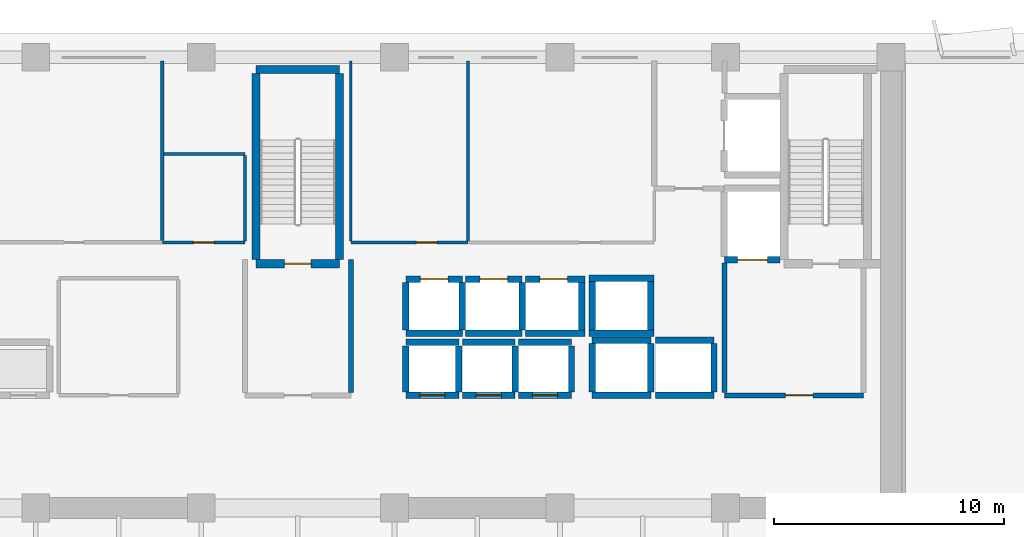
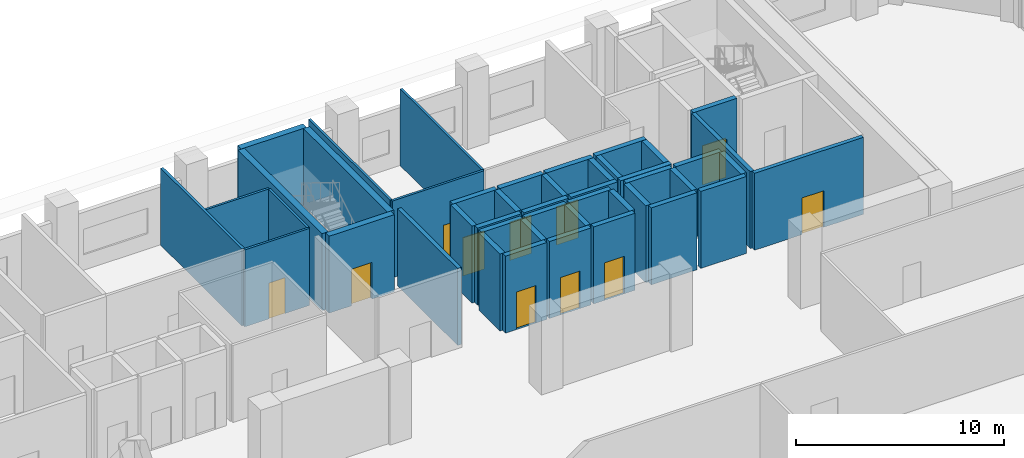
# One storey, part 31 of 37: 46 walls, 11 doors, 11 openings.
"""IFC4 building model written with IfcOpenShell, lengths in metres."""

from ifc_helpers import new_model, si_unit, direction, frame, frame_2d, origin, place, context, subcontext, project, spatial, rectangle, extrude, material, layer, layer_set, type_object, element, fill, save


model = new_model("IFC4")

# Units and contexts
model_context = context("Model", 3, precision=1e-05, world=origin(), true_north=direction((0.0, 1.0)))
body_context = subcontext(model_context, "Body", "Model", "MODEL_VIEW")
ifc_project = project(units=[si_unit("LENGTHUNIT", "METRE"), si_unit("AREAUNIT", "SQUARE_METRE"), si_unit("VOLUMEUNIT", "CUBIC_METRE"), si_unit("PLANEANGLEUNIT", "RADIAN"), si_unit("MASSUNIT", "GRAM", prefix="KILO")], contexts=[model_context])

# Site, building, storey
site_placement = place(None, origin())
site = spatial("IfcSite", under=ifc_project, at=site_placement, CompositionType="ELEMENT")
building_placement = place(site_placement, origin())
building = spatial("IfcBuilding", under=site, at=building_placement, Name="Kaelvorn Grand Hotel", CompositionType="ELEMENT")
storey_placement = place(building_placement, frame((0.0, 0.0, 224.35009765625)))
storey = spatial("IfcBuildingStorey", under=building, at=storey_placement, Name="L55", CompositionType="ELEMENT", Elevation=224.35009765625)

# Wall, opening, door
ifc_material_1 = material(Name="Moisture-Resistant Tile & Stud Board")
ifc_layer_1 = layer(ifc_material_1, 0.125)
ifc_layer_set_1 = layer_set([ifc_layer_1], Name="Moisture-Resistant Tile & Stud Board")
wall_type_1 = type_object("IfcWallType", Name="WL-PART-125-WET", PredefinedType="PARTITIONING", material=ifc_layer_set_1)
wall_1_placement = place(storey_placement, frame((36.110107421875, 40.949951171875, 0.0), z_axis=(0.0, 0.0, 1.0), x_axis=(1.0, 0.0, 0.0)))
wall_1 = element("IfcWall", 1, at=wall_1_placement, inside=storey, type_object=wall_type_1, Name="L55 Accessible WC S Partition", PredefinedType="PARTITIONING", context=body_context, shape_type="SweptSolid", body=[
    extrude(rectangle(XDim=3.58984375, YDim=0.125, at=frame_2d((1.794921875, 0.0))), origin(), (0.0, 0.0, 1.0), 4.52001953125),
])
opening_1_placement = place(wall_1_placement, frame((1.340087890625, 0.0, 0.0)))
opening_1 = element("IfcOpeningElement", 2, at=opening_1_placement, cuts=wall_1, Name="Opening DI4", PredefinedType="OPENING", context=body_context, shape_type="SweptSolid", body=[
    extrude(rectangle(XDim=0.89990234375, YDim=2.10009765625, at=frame_2d((0.449951171875, 1.050048828125))), frame((0.0, 0.072509765625, 0.0), z_axis=(0.0, -1.0, 0.0), x_axis=(1.0, 0.0, 0.0)), (0.0, 0.0, 1.0), 0.14501953125),
])
ifc_material_2 = material(Name="Timber Veneer Leaf", Category="wood")
door_type_1 = type_object("IfcDoorType", Name="DR-INT-BATH-900x2100", OperationType="NOTDEFINED", PredefinedType="DOOR", material=ifc_material_2)
door_1_placement = place(opening_1_placement, origin())
door_1 = element("IfcDoor", 3, at=door_1_placement, inside=storey, type_object=door_type_1, Name="L55 Accessible WC Door", OperationType="SINGLE_SWING_RIGHT", OverallHeight=2.10009765625, OverallWidth=0.89990234375, PredefinedType="DOOR", context=body_context, shape_type="SweptSolid", body=[
    extrude(rectangle(XDim=0.89990234375, YDim=2.10009765625, at=frame_2d((0.449951171875, 1.050048828125))), frame((0.0, 0.02490234375, 0.0), z_axis=(0.0, -1.0, 0.0), x_axis=(1.0, 0.0, 0.0)), (0.0, 0.0, 1.0), 0.050048828125),
])
fill(opening_1, door_1)

# Walls
wall_2_placement = place(storey_placement, frame((36.179931640625, 44.800048828125, 0.0), z_axis=(0.0, 0.0, 1.0), x_axis=(1.0, 0.0, 0.0)))
element("IfcWall", 4, at=wall_2_placement, inside=storey, type_object=wall_type_1, Name="L55 Accessible WC N Partition", PredefinedType="PARTITIONING", context=body_context, shape_type="SweptSolid", body=[
    extrude(rectangle(XDim=3.52001953125, YDim=0.125, at=frame_2d((1.760009765625, 0.0))), origin(), (0.0, 0.0, 1.0), 4.52001953125),
])
wall_3_placement = place(storey_placement, frame((39.699951171875, 41.017578125, 0.0), z_axis=(0.0, 0.0, 1.0), x_axis=(0.0, 1.0, 0.0)))
element("IfcWall", 5, at=wall_3_placement, inside=storey, type_object=wall_type_1, Name="L55 Accessible WC E Partition", PredefinedType="PARTITIONING", context=body_context, shape_type="SweptSolid", body=[
    extrude(rectangle(XDim=3.71484375, YDim=0.125, at=frame_2d((1.857421875, 0.0))), origin(), (0.0, 0.0, 1.0), 4.52001953125),
])

# Wall, opening, door
wall_4_placement = place(storey_placement, frame((44.300048828125, 40.949951171875, 0.0), z_axis=(0.0, 0.0, 1.0), x_axis=(1.0, 0.0, 0.0)))
wall_4 = element("IfcWall", 6, at=wall_4_placement, inside=storey, type_object=wall_type_1, Name="L55 Male Toilets S Partition", PredefinedType="PARTITIONING", context=body_context, shape_type="SweptSolid", body=[
    extrude(rectangle(XDim=5.099853515625, YDim=0.125, at=frame_2d((2.5498046875, 0.0))), origin(), (0.0, 0.0, 1.0), 4.52001953125),
])
opening_2_placement = place(wall_4_placement, frame((2.85009765625, 0.0, 0.0)))
opening_2 = element("IfcOpeningElement", 7, at=opening_2_placement, cuts=wall_4, Name="Opening DI4", PredefinedType="OPENING", context=body_context, shape_type="SweptSolid", body=[
    extrude(rectangle(XDim=0.89990234375, YDim=2.10009765625, at=frame_2d((0.449951171875, 1.050048828125))), frame((0.0, 0.072509765625, 0.0), z_axis=(0.0, -1.0, 0.0), x_axis=(1.0, 0.0, 0.0)), (0.0, 0.0, 1.0), 0.14501953125),
])
door_2_placement = place(opening_2_placement, origin())
door_2 = element("IfcDoor", 8, at=door_2_placement, inside=storey, type_object=door_type_1, Name="L55 Male Toilets Door", OperationType="SINGLE_SWING_LEFT", OverallHeight=2.10009765625, OverallWidth=0.89990234375, PredefinedType="DOOR", context=body_context, shape_type="SweptSolid", body=[
    extrude(rectangle(XDim=0.89990234375, YDim=2.10009765625, at=frame_2d((0.449951171875, 1.050048828125))), frame((0.0, 0.02490234375, 0.0), z_axis=(0.0, -1.0, 0.0), x_axis=(1.0, 0.0, 0.0)), (0.0, 0.0, 1.0), 0.050048828125),
])
fill(opening_2, door_2)

# Walls
for number, where, z_axis, x_axis, name in (
    (9, (44.300048828125, 41.017578125, 0.0), (0.0, 0.0, 1.0), (0.0, 1.0, 0.0), "L55 Male Toilets W Partition"),
    (10, (49.39990234375, 41.017578125, 0.0), (0.0, 0.0, 1.0), (0.0, 1.0, 0.0), "L55 Male Toilets E Partition"),
):
    element("IfcWall", number, at=place(storey_placement, frame(where, z_axis=z_axis, x_axis=x_axis)), inside=storey, type_object=wall_type_1, Name=name, PredefinedType="PARTITIONING", context=body_context, shape_type="SweptSolid", body=[
        extrude(rectangle(XDim=7.83251953125, YDim=0.125, at=frame_2d((3.916259765625, 0.0))), origin(), (0.0, 0.0, 1.0), 4.52001953125),
    ])
ifc_material_3 = material(Name="Acoustic Gypsum & Stud Partition")
ifc_layer_2 = layer(ifc_material_3, 0.14990234375)
ifc_layer_set_2 = layer_set([ifc_layer_2], Name="Acoustic Gypsum & Stud Partition")
wall_type_2 = type_object("IfcWallType", Name="WL-PART-150-EI60", PredefinedType="PARTITIONING", material=ifc_layer_set_2)
wall_5_placement = place(storey_placement, frame((36.10009765625, 41.030029296875, 0.0), z_axis=(0.0, 0.0, 1.0), x_axis=(0.0, 1.0, 0.0)))
element("IfcWall", 11, at=wall_5_placement, inside=storey, type_object=wall_type_2, Name="L55 Central BOH Supply Store E Partition", PredefinedType="PARTITIONING", context=body_context, shape_type="SweptSolid", body=[
    extrude(rectangle(XDim=7.820068359375, YDim=0.14990234375, at=frame_2d((3.91015625, 0.0))), origin(), (0.0, 0.0, 1.0), 4.52001953125),
])

# Wall, opening, door
ifc_material_4 = material(Name="Concrete C40/50", Category="concrete")
ifc_layer_3 = layer(ifc_material_4, 0.219970703125)
ifc_layer_set_3 = layer_set([ifc_layer_3], Name="Concrete C40/50")
wall_type_3 = type_object("IfcWallType", Name="WL-PART-220-EI120", PredefinedType="PARTITIONING", material=ifc_layer_set_3)
wall_6_placement = place(storey_placement, frame((60.550048828125, 34.300048828125, 0.0), z_axis=(0.0, 0.0, 1.0), x_axis=(1.0, 0.0, 0.0)))
wall_6 = element("IfcWall", 12, at=wall_6_placement, inside=storey, type_object=wall_type_3, Name="L55 Firefighting Lift Lobby 2 S Partition", PredefinedType="PARTITIONING", context=body_context, shape_type="SweptSolid", body=[
    extrude(rectangle(XDim=6.050048828125, YDim=0.219970703125, at=frame_2d((3.02490234375, 0.0))), origin(), (0.0, 0.0, 1.0), 4.52001953125),
])
opening_3_placement = place(wall_6_placement, frame((2.64990234375, 0.0, 0.0)))
opening_3 = element("IfcOpeningElement", 13, at=opening_3_placement, cuts=wall_6, Name="Opening DI2", PredefinedType="OPENING", context=body_context, shape_type="SweptSolid", body=[
    extrude(rectangle(XDim=1.199951171875, YDim=2.14990234375, at=frame_2d((0.60009765625, 1.074951171875))), frame((0.0, 0.1201171875, 0.0), z_axis=(0.0, -1.0, 0.0), x_axis=(1.0, 0.0, 0.0)), (0.0, 0.0, 1.0), 0.239990234375),
])
ifc_material_5 = material(Name="Timber Veneer Fire Leaf", Category="wood")
door_type_2 = type_object("IfcDoorType", Name="DR-INT-FFLOB-1200x2150", OperationType="NOTDEFINED", PredefinedType="DOOR", material=ifc_material_5)
door_3_placement = place(opening_3_placement, origin())
door_3 = element("IfcDoor", 14, at=door_3_placement, inside=storey, type_object=door_type_2, Name="L55 Firefighting Lift Lobby 2 Door", OperationType="SINGLE_SWING_RIGHT", OverallHeight=2.14990234375, OverallWidth=1.199951171875, PredefinedType="DOOR", context=body_context, shape_type="SweptSolid", body=[
    extrude(rectangle(XDim=1.199951171875, YDim=2.14990234375, at=frame_2d((0.60009765625, 1.074951171875))), frame((0.0, 0.02490234375, 0.0), z_axis=(0.0, -1.0, 0.0), x_axis=(1.0, 0.0, 0.0)), (0.0, 0.0, 1.0), 0.050048828125),
])
fill(opening_3, door_3)

# Walls
wall_7_placement = place(storey_placement, frame((60.550048828125, 34.4150390625, 0.0), z_axis=(0.0, 0.0, 1.0), x_axis=(0.0, 1.0, 0.0)))
element("IfcWall", 15, at=wall_7_placement, inside=storey, type_object=wall_type_3, Name="L55 Firefighting Lift Lobby 2 W Partition", PredefinedType="PARTITIONING", context=body_context, shape_type="SweptSolid", body=[
    extrude(rectangle(XDim=5.639892578125, YDim=0.219970703125, at=frame_2d((2.81982421875, 0.0))), origin(), (0.0, 0.0, 1.0), 4.52001953125),
])
wall_8_placement = place(storey_placement, frame((44.300048828125, 34.4150390625, 0.0), z_axis=(0.0, 0.0, 1.0), x_axis=(0.0, 1.0, 0.0)))
element("IfcWall", 16, at=wall_8_placement, inside=storey, type_object=wall_type_3, Name="L55 Central Stair Escape Vestibule E Partition", PredefinedType="PARTITIONING", context=body_context, shape_type="SweptSolid", body=[
    extrude(rectangle(XDim=5.784912109375, YDim=0.219970703125, at=frame_2d((2.892578125, 0.0))), origin(), (0.0, 0.0, 1.0), 4.52001953125),
])

# Wall, opening, door
ifc_material_6 = material(Name="Concrete C50/60", Category="concrete")
ifc_layer_4 = layer(ifc_material_6, 0.280029296875)
ifc_layer_set_4 = layer_set([ifc_layer_4], Name="Concrete C50/60")
wall_type_4 = type_object("IfcWallType", Name="WL-SHAFT-280-C50", PredefinedType="SHEAR", material=ifc_layer_set_4)
wall_9_placement = place(storey_placement, frame((46.699951171875, 34.300048828125, 0.0), z_axis=(0.0, 0.0, 1.0), x_axis=(1.0, 0.0, 0.0)))
wall_9 = element("IfcWall", 17, at=wall_9_placement, inside=storey, type_object=wall_type_4, Name="L55 Lift PL-M1 Shaft South Wall", PredefinedType="SHEAR", context=body_context, shape_type="SweptSolid", body=[
    extrude(rectangle(XDim=2.300048828125, YDim=0.280029296875, at=frame_2d((1.14990234375, 0.0))), origin(), (0.0, 0.0, 1.0), 4.52001953125),
])
opening_4_placement = place(wall_9_placement, frame((0.60009765625, 0.0, 0.0)))
opening_4 = element("IfcOpeningElement", 18, at=opening_4_placement, cuts=wall_9, Name="Opening LD-PL-M1", PredefinedType="OPENING", context=body_context, shape_type="SweptSolid", body=[
    extrude(rectangle(XDim=1.10009765625, YDim=2.199951171875, at=frame_2d((0.550048828125, 1.10009765625))), frame((0.0, 0.14990234375, 0.0), z_axis=(0.0, -1.0, 0.0), x_axis=(1.0, 0.0, 0.0)), (0.0, 0.0, 1.0), 0.300048828125),
])
ifc_material_7 = material(Name="Stainless Steel", Category="steel")
door_type_3 = type_object("IfcDoorType", Name="DR-LIFT-PASS-1100x2200", OperationType="DOUBLE_DOOR_SLIDING", PredefinedType="DOOR", material=ifc_material_7)
door_4_placement = place(opening_4_placement, origin())
door_4 = element("IfcDoor", 19, at=door_4_placement, inside=storey, type_object=door_type_3, Name="L55 Lift PL-M1 Sliding Landing Door LD-PL-M1", OperationType="DOUBLE_DOOR_SLIDING", OverallHeight=2.199951171875, OverallWidth=1.10009765625, PredefinedType="DOOR", context=body_context, shape_type="SweptSolid", body=[
    extrude(rectangle(XDim=1.10009765625, YDim=2.199951171875, at=frame_2d((0.550048828125, 1.10009765625))), frame((0.0, 0.02490234375, 0.0), z_axis=(0.0, -1.0, 0.0), x_axis=(1.0, 0.0, 0.0)), (0.0, 0.0, 1.0), 0.050048828125),
])
fill(opening_4, door_4)

# Walls
wall_10_placement = place(storey_placement, frame((46.699951171875, 36.60009765625, 0.0), z_axis=(0.0, 0.0, 1.0), x_axis=(1.0, 0.0, 0.0)))
element("IfcWall", 20, at=wall_10_placement, inside=storey, type_object=wall_type_4, Name="L55 Lift PL-M1 Shaft North Wall", PredefinedType="SHEAR", context=body_context, shape_type="SweptSolid", body=[
    extrude(rectangle(XDim=2.300048828125, YDim=0.280029296875, at=frame_2d((1.14990234375, 0.0))), origin(), (0.0, 0.0, 1.0), 4.52001953125),
])
for number, where, z_axis, x_axis, name in (
    (21, (46.699951171875, 34.445068359375, 0.0), (0.0, 0.0, 1.0), (0.0, 1.0, 0.0), "L55 Lift PL-M1 Shaft West Wall"),
    (22, (49.0, 34.445068359375, 0.0), (0.0, 0.0, 1.0), (0.0, 1.0, 0.0), "L55 Lift PL-M1 Shaft East Wall"),
):
    element("IfcWall", number, at=place(storey_placement, frame(where, z_axis=z_axis, x_axis=x_axis)), inside=storey, type_object=wall_type_4, Name=name, PredefinedType="SHEAR", context=body_context, shape_type="SweptSolid", body=[
        extrude(rectangle(XDim=2.010009765625, YDim=0.280029296875, at=frame_2d((1.0048828125, 0.0))), origin(), (0.0, 0.0, 1.0), 4.52001953125),
    ])

# Wall, opening, door
wall_11_placement = place(storey_placement, frame((49.14990234375, 34.300048828125, 0.0), z_axis=(0.0, 0.0, 1.0), x_axis=(1.0, 0.0, 0.0)))
wall_11 = element("IfcWall", 23, at=wall_11_placement, inside=storey, type_object=wall_type_4, Name="L55 Lift PL-M2 Shaft South Wall", PredefinedType="SHEAR", context=body_context, shape_type="SweptSolid", body=[
    extrude(rectangle(XDim=2.300048828125, YDim=0.280029296875, at=frame_2d((1.14990234375, 0.0))), origin(), (0.0, 0.0, 1.0), 4.52001953125),
])
opening_5_placement = place(wall_11_placement, frame((0.60009765625, 0.0, 0.0)))
opening_5 = element("IfcOpeningElement", 24, at=opening_5_placement, cuts=wall_11, Name="Opening LD-PL-M2", PredefinedType="OPENING", context=body_context, shape_type="SweptSolid", body=[
    extrude(rectangle(XDim=1.10009765625, YDim=2.199951171875, at=frame_2d((0.550048828125, 1.10009765625))), frame((0.0, 0.14990234375, 0.0), z_axis=(0.0, -1.0, 0.0), x_axis=(1.0, 0.0, 0.0)), (0.0, 0.0, 1.0), 0.300048828125),
])
door_5_placement = place(opening_5_placement, origin())
door_5 = element("IfcDoor", 25, at=door_5_placement, inside=storey, type_object=door_type_3, Name="L55 Lift PL-M2 Sliding Landing Door LD-PL-M2", OperationType="DOUBLE_DOOR_SLIDING", OverallHeight=2.199951171875, OverallWidth=1.10009765625, PredefinedType="DOOR", context=body_context, shape_type="SweptSolid", body=[
    extrude(rectangle(XDim=1.10009765625, YDim=2.199951171875, at=frame_2d((0.550048828125, 1.10009765625))), frame((0.0, 0.02490234375, 0.0), z_axis=(0.0, -1.0, 0.0), x_axis=(1.0, 0.0, 0.0)), (0.0, 0.0, 1.0), 0.050048828125),
])
fill(opening_5, door_5)

# Walls
wall_12_placement = place(storey_placement, frame((49.14990234375, 36.60009765625, 0.0), z_axis=(0.0, 0.0, 1.0), x_axis=(1.0, 0.0, 0.0)))
element("IfcWall", 26, at=wall_12_placement, inside=storey, type_object=wall_type_4, Name="L55 Lift PL-M2 Shaft North Wall", PredefinedType="SHEAR", context=body_context, shape_type="SweptSolid", body=[
    extrude(rectangle(XDim=2.300048828125, YDim=0.280029296875, at=frame_2d((1.14990234375, 0.0))), origin(), (0.0, 0.0, 1.0), 4.52001953125),
])
wall_13_placement = place(storey_placement, frame((51.449951171875, 34.445068359375, 0.0), z_axis=(0.0, 0.0, 1.0), x_axis=(0.0, 1.0, 0.0)))
element("IfcWall", 27, at=wall_13_placement, inside=storey, type_object=wall_type_4, Name="L55 Lift PL-M2 Shaft East Wall", PredefinedType="SHEAR", context=body_context, shape_type="SweptSolid", body=[
    extrude(rectangle(XDim=2.010009765625, YDim=0.280029296875, at=frame_2d((1.0048828125, 0.0))), origin(), (0.0, 0.0, 1.0), 4.52001953125),
])

# Wall, opening, door
wall_14_placement = place(storey_placement, frame((51.60009765625, 34.300048828125, 0.0), z_axis=(0.0, 0.0, 1.0), x_axis=(1.0, 0.0, 0.0)))
wall_14 = element("IfcWall", 28, at=wall_14_placement, inside=storey, type_object=wall_type_4, Name="L55 Lift PL-M3 Shaft South Wall", PredefinedType="SHEAR", context=body_context, shape_type="SweptSolid", body=[
    extrude(rectangle(XDim=2.2998046875, YDim=0.280029296875, at=frame_2d((1.14990234375, 0.0))), origin(), (0.0, 0.0, 1.0), 4.52001953125),
])
opening_6_placement = place(wall_14_placement, frame((0.60009765625, 0.0, 0.0)))
opening_6 = element("IfcOpeningElement", 29, at=opening_6_placement, cuts=wall_14, Name="Opening LD-PL-M3", PredefinedType="OPENING", context=body_context, shape_type="SweptSolid", body=[
    extrude(rectangle(XDim=1.10009765625, YDim=2.199951171875, at=frame_2d((0.550048828125, 1.10009765625))), frame((0.0, 0.14990234375, 0.0), z_axis=(0.0, -1.0, 0.0), x_axis=(1.0, 0.0, 0.0)), (0.0, 0.0, 1.0), 0.300048828125),
])
door_6_placement = place(opening_6_placement, origin())
door_6 = element("IfcDoor", 30, at=door_6_placement, inside=storey, type_object=door_type_3, Name="L55 Lift PL-M3 Sliding Landing Door LD-PL-M3", OperationType="DOUBLE_DOOR_SLIDING", OverallHeight=2.199951171875, OverallWidth=1.10009765625, PredefinedType="DOOR", context=body_context, shape_type="SweptSolid", body=[
    extrude(rectangle(XDim=1.10009765625, YDim=2.199951171875, at=frame_2d((0.550048828125, 1.10009765625))), frame((0.0, 0.02490234375, 0.0), z_axis=(0.0, -1.0, 0.0), x_axis=(1.0, 0.0, 0.0)), (0.0, 0.0, 1.0), 0.050048828125),
])
fill(opening_6, door_6)

# Walls
wall_15_placement = place(storey_placement, frame((51.60009765625, 36.60009765625, 0.0), z_axis=(0.0, 0.0, 1.0), x_axis=(1.0, 0.0, 0.0)))
element("IfcWall", 31, at=wall_15_placement, inside=storey, type_object=wall_type_4, Name="L55 Lift PL-M3 Shaft North Wall", PredefinedType="SHEAR", context=body_context, shape_type="SweptSolid", body=[
    extrude(rectangle(XDim=2.2998046875, YDim=0.280029296875, at=frame_2d((1.14990234375, 0.0))), origin(), (0.0, 0.0, 1.0), 4.52001953125),
])
wall_16_placement = place(storey_placement, frame((53.89990234375, 34.445068359375, 0.0), z_axis=(0.0, 0.0, 1.0), x_axis=(0.0, 1.0, 0.0)))
element("IfcWall", 32, at=wall_16_placement, inside=storey, type_object=wall_type_4, Name="L55 Lift PL-M3 Shaft East Wall", PredefinedType="SHEAR", context=body_context, shape_type="SweptSolid", body=[
    extrude(rectangle(XDim=2.010009765625, YDim=0.280029296875, at=frame_2d((1.0048828125, 0.0))), origin(), (0.0, 0.0, 1.0), 4.52001953125),
])
wall_17_placement = place(storey_placement, frame((46.699951171875, 37.0, 0.0), z_axis=(0.0, 0.0, 1.0), x_axis=(1.0, 0.0, 0.0)))
element("IfcWall", 33, at=wall_17_placement, inside=storey, type_object=wall_type_4, Name="L55 Lift SL-1 Shaft South Wall", PredefinedType="SHEAR", context=body_context, shape_type="SweptSolid", body=[
    extrude(rectangle(XDim=2.449951171875, YDim=0.280029296875, at=frame_2d((1.22509765625, 0.0))), origin(), (0.0, 0.0, 1.0), 4.52001953125),
])

# Wall, opening, door
wall_18_placement = place(storey_placement, frame((46.699951171875, 39.35009765625, 0.0), z_axis=(0.0, 0.0, 1.0), x_axis=(1.0, 0.0, 0.0)))
wall_18 = element("IfcWall", 34, at=wall_18_placement, inside=storey, type_object=wall_type_4, Name="L55 Lift SL-1 Shaft North Wall", PredefinedType="SHEAR", context=body_context, shape_type="SweptSolid", body=[
    extrude(rectangle(XDim=2.449951171875, YDim=0.280029296875, at=frame_2d((1.22509765625, 0.0))), origin(), (0.0, 0.0, 1.0), 4.52001953125),
])
opening_7_placement = place(wall_18_placement, frame((0.625, 0.0, 0.0)))
opening_7 = element("IfcOpeningElement", 35, at=opening_7_placement, cuts=wall_18, Name="Opening LD-SL-1", PredefinedType="OPENING", context=body_context, shape_type="SweptSolid", body=[
    extrude(rectangle(XDim=1.199951171875, YDim=2.25, at=frame_2d((0.60009765625, 1.125))), frame((0.0, 0.14990234375, 0.0), z_axis=(0.0, -1.0, 0.0), x_axis=(1.0, 0.0, 0.0)), (0.0, 0.0, 1.0), 0.300048828125),
])
door_type_4 = type_object("IfcDoorType", Name="DR-LIFT-SHUT-1200x2250", OperationType="DOUBLE_DOOR_SLIDING", PredefinedType="DOOR", material=ifc_material_7)
door_7_placement = place(opening_7_placement, origin())
door_7 = element("IfcDoor", 36, at=door_7_placement, inside=storey, type_object=door_type_4, Name="L55 Lift SL-1 Sliding Landing Door LD-SL-1", OperationType="DOUBLE_DOOR_SLIDING", OverallHeight=2.25, OverallWidth=1.199951171875, PredefinedType="DOOR", context=body_context, shape_type="SweptSolid", body=[
    extrude(rectangle(XDim=1.199951171875, YDim=2.25, at=frame_2d((0.60009765625, 1.125))), frame((0.0, 0.02490234375, 0.0), z_axis=(0.0, -1.0, 0.0), x_axis=(1.0, 0.0, 0.0)), (0.0, 0.0, 1.0), 0.050048828125),
])
fill(opening_7, door_7)

# Walls
for number, where, z_axis, x_axis, name in (
    (37, (46.699951171875, 37.14501953125, 0.0), (0.0, 0.0, 1.0), (0.0, 1.0, 0.0), "L55 Lift SL-1 Shaft West Wall"),
    (38, (49.14990234375, 37.14501953125, 0.0), (0.0, 0.0, 1.0), (0.0, 1.0, 0.0), "L55 Lift SL-1 Shaft East Wall"),
):
    element("IfcWall", number, at=place(storey_placement, frame(where, z_axis=z_axis, x_axis=x_axis)), inside=storey, type_object=wall_type_4, Name=name, PredefinedType="SHEAR", context=body_context, shape_type="SweptSolid", body=[
        extrude(rectangle(XDim=2.06005859375, YDim=0.280029296875, at=frame_2d((1.030029296875, 0.0))), origin(), (0.0, 0.0, 1.0), 4.52001953125),
    ])
wall_19_placement = place(storey_placement, frame((49.300048828125, 37.0, 0.0), z_axis=(0.0, 0.0, 1.0), x_axis=(1.0, 0.0, 0.0)))
element("IfcWall", 39, at=wall_19_placement, inside=storey, type_object=wall_type_4, Name="L55 Lift SL-2 Shaft South Wall", PredefinedType="SHEAR", context=body_context, shape_type="SweptSolid", body=[
    extrude(rectangle(XDim=2.449951171875, YDim=0.280029296875, at=frame_2d((1.22509765625, 0.0))), origin(), (0.0, 0.0, 1.0), 4.52001953125),
])

# Wall, opening, door
wall_20_placement = place(storey_placement, frame((49.300048828125, 39.35009765625, 0.0), z_axis=(0.0, 0.0, 1.0), x_axis=(1.0, 0.0, 0.0)))
wall_20 = element("IfcWall", 40, at=wall_20_placement, inside=storey, type_object=wall_type_4, Name="L55 Lift SL-2 Shaft North Wall", PredefinedType="SHEAR", context=body_context, shape_type="SweptSolid", body=[
    extrude(rectangle(XDim=2.449951171875, YDim=0.280029296875, at=frame_2d((1.22509765625, 0.0))), origin(), (0.0, 0.0, 1.0), 4.52001953125),
])
opening_8_placement = place(wall_20_placement, frame((0.625, 0.0, 0.0)))
opening_8 = element("IfcOpeningElement", 41, at=opening_8_placement, cuts=wall_20, Name="Opening LD-SL-2", PredefinedType="OPENING", context=body_context, shape_type="SweptSolid", body=[
    extrude(rectangle(XDim=1.199951171875, YDim=2.25, at=frame_2d((0.60009765625, 1.125))), frame((0.0, 0.14990234375, 0.0), z_axis=(0.0, -1.0, 0.0), x_axis=(1.0, 0.0, 0.0)), (0.0, 0.0, 1.0), 0.300048828125),
])
door_8_placement = place(opening_8_placement, origin())
door_8 = element("IfcDoor", 42, at=door_8_placement, inside=storey, type_object=door_type_4, Name="L55 Lift SL-2 Sliding Landing Door LD-SL-2", OperationType="DOUBLE_DOOR_SLIDING", OverallHeight=2.25, OverallWidth=1.199951171875, PredefinedType="DOOR", context=body_context, shape_type="SweptSolid", body=[
    extrude(rectangle(XDim=1.199951171875, YDim=2.25, at=frame_2d((0.60009765625, 1.125))), frame((0.0, 0.02490234375, 0.0), z_axis=(0.0, -1.0, 0.0), x_axis=(1.0, 0.0, 0.0)), (0.0, 0.0, 1.0), 0.050048828125),
])
fill(opening_8, door_8)

# Walls
wall_21_placement = place(storey_placement, frame((51.75, 37.14501953125, 0.0), z_axis=(0.0, 0.0, 1.0), x_axis=(0.0, 1.0, 0.0)))
element("IfcWall", 43, at=wall_21_placement, inside=storey, type_object=wall_type_4, Name="L55 Lift SL-2 Shaft East Wall", PredefinedType="SHEAR", context=body_context, shape_type="SweptSolid", body=[
    extrude(rectangle(XDim=2.06005859375, YDim=0.280029296875, at=frame_2d((1.030029296875, 0.0))), origin(), (0.0, 0.0, 1.0), 4.52001953125),
])
wall_22_placement = place(storey_placement, frame((51.89990234375, 37.0, 0.0), z_axis=(0.0, 0.0, 1.0), x_axis=(1.0, 0.0, 0.0)))
element("IfcWall", 44, at=wall_22_placement, inside=storey, type_object=wall_type_4, Name="L55 Lift SL-3 Shaft South Wall", PredefinedType="SHEAR", context=body_context, shape_type="SweptSolid", body=[
    extrude(rectangle(XDim=2.590087890625, YDim=0.280029296875, at=frame_2d((1.294921875, 0.0))), origin(), (0.0, 0.0, 1.0), 4.52001953125),
])

# Wall, opening, door
wall_23_placement = place(storey_placement, frame((51.89990234375, 39.35009765625, 0.0), z_axis=(0.0, 0.0, 1.0), x_axis=(1.0, 0.0, 0.0)))
wall_23 = element("IfcWall", 45, at=wall_23_placement, inside=storey, type_object=wall_type_4, Name="L55 Lift SL-3 Shaft North Wall", PredefinedType="SHEAR", context=body_context, shape_type="SweptSolid", body=[
    extrude(rectangle(XDim=2.590087890625, YDim=0.280029296875, at=frame_2d((1.294921875, 0.0))), origin(), (0.0, 0.0, 1.0), 4.52001953125),
])
opening_9_placement = place(wall_23_placement, frame((0.625, 0.0, 0.0)))
opening_9 = element("IfcOpeningElement", 46, at=opening_9_placement, cuts=wall_23, Name="Opening LD-SL-3", PredefinedType="OPENING", context=body_context, shape_type="SweptSolid", body=[
    extrude(rectangle(XDim=1.199951171875, YDim=2.25, at=frame_2d((0.60009765625, 1.125))), frame((0.0, 0.14990234375, 0.0), z_axis=(0.0, -1.0, 0.0), x_axis=(1.0, 0.0, 0.0)), (0.0, 0.0, 1.0), 0.300048828125),
])
door_9_placement = place(opening_9_placement, origin())
door_9 = element("IfcDoor", 47, at=door_9_placement, inside=storey, type_object=door_type_4, Name="L55 Lift SL-3 Sliding Landing Door LD-SL-3", OperationType="DOUBLE_DOOR_SLIDING", OverallHeight=2.25, OverallWidth=1.199951171875, PredefinedType="DOOR", context=body_context, shape_type="SweptSolid", body=[
    extrude(rectangle(XDim=1.199951171875, YDim=2.25, at=frame_2d((0.60009765625, 1.125))), frame((0.0, 0.02490234375, 0.0), z_axis=(0.0, -1.0, 0.0), x_axis=(1.0, 0.0, 0.0)), (0.0, 0.0, 1.0), 0.050048828125),
])
fill(opening_9, door_9)

# Walls
wall_24_placement = place(storey_placement, frame((54.35009765625, 37.14501953125, 0.0), z_axis=(0.0, 0.0, 1.0), x_axis=(0.0, 1.0, 0.0)))
element("IfcWall", 48, at=wall_24_placement, inside=storey, type_object=wall_type_4, Name="L55 Lift SL-3 Shaft East Wall", PredefinedType="SHEAR", context=body_context, shape_type="SweptSolid", body=[
    extrude(rectangle(XDim=2.06005859375, YDim=0.280029296875, at=frame_2d((1.030029296875, 0.0))), origin(), (0.0, 0.0, 1.0), 4.52001953125),
])
for number, where, z_axis, x_axis, name in (
    (49, (54.800048828125, 34.300048828125, 0.0), (0.0, 0.0, 1.0), (1.0, 0.0, 0.0), "L55 Lift OL-1 Shaft South Wall"),
    (50, (54.800048828125, 36.699951171875, 0.0), (0.0, 0.0, 1.0), (1.0, 0.0, 0.0), "L55 Lift OL-1 Shaft North Wall"),
):
    element("IfcWall", number, at=place(storey_placement, frame(where, z_axis=z_axis, x_axis=x_axis)), inside=storey, type_object=wall_type_4, Name=name, PredefinedType="SHEAR", context=body_context, shape_type="SweptSolid", body=[
        extrude(rectangle(XDim=2.550048828125, YDim=0.280029296875, at=frame_2d((1.27490234375, 0.0))), origin(), (0.0, 0.0, 1.0), 4.52001953125),
    ])
for number, where, z_axis, x_axis, name in (
    (51, (54.800048828125, 34.445068359375, 0.0), (0.0, 0.0, 1.0), (0.0, 1.0, 0.0), "L55 Lift OL-1 Shaft West Wall"),
    (52, (57.35009765625, 34.445068359375, 0.0), (0.0, 0.0, 1.0), (0.0, 1.0, 0.0), "L55 Lift OL-1 Shaft East Wall"),
):
    element("IfcWall", number, at=place(storey_placement, frame(where, z_axis=z_axis, x_axis=x_axis)), inside=storey, type_object=wall_type_4, Name=name, PredefinedType="SHEAR", context=body_context, shape_type="SweptSolid", body=[
        extrude(rectangle(XDim=2.10986328125, YDim=0.280029296875, at=frame_2d((1.054931640625, 0.0))), origin(), (0.0, 0.0, 1.0), 4.52001953125),
    ])
for number, where, z_axis, x_axis, name in (
    (53, (57.550048828125, 34.300048828125, 0.0), (0.0, 0.0, 1.0), (1.0, 0.0, 0.0), "L55 Lift OL-2 Shaft South Wall"),
    (54, (57.550048828125, 36.699951171875, 0.0), (0.0, 0.0, 1.0), (1.0, 0.0, 0.0), "L55 Lift OL-2 Shaft North Wall"),
):
    element("IfcWall", number, at=place(storey_placement, frame(where, z_axis=z_axis, x_axis=x_axis)), inside=storey, type_object=wall_type_4, Name=name, PredefinedType="SHEAR", context=body_context, shape_type="SweptSolid", body=[
        extrude(rectangle(XDim=2.550048828125, YDim=0.280029296875, at=frame_2d((1.27490234375, 0.0))), origin(), (0.0, 0.0, 1.0), 4.52001953125),
    ])
wall_25_placement = place(storey_placement, frame((60.10009765625, 34.445068359375, 0.0), z_axis=(0.0, 0.0, 1.0), x_axis=(0.0, 1.0, 0.0)))
element("IfcWall", 55, at=wall_25_placement, inside=storey, type_object=wall_type_4, Name="L55 Lift OL-2 Shaft East Wall", PredefinedType="SHEAR", context=body_context, shape_type="SweptSolid", body=[
    extrude(rectangle(XDim=2.10986328125, YDim=0.280029296875, at=frame_2d((1.054931640625, 0.0))), origin(), (0.0, 0.0, 1.0), 4.52001953125),
])
for number, where, z_axis, x_axis, name in (
    (56, (54.659912109375, 37.0, 0.0), (0.0, 0.0, 1.0), (1.0, 0.0, 0.0), "L55 Lift OL-3 Shaft South Wall"),
    (57, (54.659912109375, 39.39990234375, 0.0), (0.0, 0.0, 1.0), (1.0, 0.0, 0.0), "L55 Lift OL-3 Shaft North Wall"),
):
    element("IfcWall", number, at=place(storey_placement, frame(where, z_axis=z_axis, x_axis=x_axis)), inside=storey, type_object=wall_type_4, Name=name, PredefinedType="SHEAR", context=body_context, shape_type="SweptSolid", body=[
        extrude(rectangle(XDim=2.830078125, YDim=0.280029296875, at=frame_2d((1.4150390625, 0.0))), origin(), (0.0, 0.0, 1.0), 4.52001953125),
    ])
for number, where, z_axis, x_axis, name in (
    (58, (54.800048828125, 37.14501953125, 0.0), (0.0, 0.0, 1.0), (0.0, 1.0, 0.0), "L55 Lift OL-3 Shaft West Wall"),
    (59, (57.35009765625, 37.14501953125, 0.0), (0.0, 0.0, 1.0), (0.0, 1.0, 0.0), "L55 Lift OL-3 Shaft East Wall"),
):
    element("IfcWall", number, at=place(storey_placement, frame(where, z_axis=z_axis, x_axis=x_axis)), inside=storey, type_object=wall_type_4, Name=name, PredefinedType="SHEAR", context=body_context, shape_type="SweptSolid", body=[
        extrude(rectangle(XDim=2.10986328125, YDim=0.280029296875, at=frame_2d((1.054931640625, 0.0))), origin(), (0.0, 0.0, 1.0), 4.52001953125),
    ])

# Wall, opening, door
wall_26_placement = place(storey_placement, frame((60.550048828125, 40.199951171875, 0.0), z_axis=(0.0, 0.0, 1.0), x_axis=(1.0, 0.0, 0.0)))
wall_26 = element("IfcWall", 60, at=wall_26_placement, inside=storey, type_object=wall_type_4, Name="L55 Lift FFL2 Shaft South Wall", PredefinedType="SHEAR", context=body_context, shape_type="SweptSolid", body=[
    extrude(rectangle(XDim=2.4150390625, YDim=0.280029296875, at=frame_2d((1.20751953125, 0.0))), origin(), (0.0, 0.0, 1.0), 4.52001953125),
])
opening_10_placement = place(wall_26_placement, frame((0.574951171875, 0.0, 0.0)))
opening_10 = element("IfcOpeningElement", 61, at=opening_10_placement, cuts=wall_26, Name="Opening LD-FFL2", PredefinedType="OPENING", context=body_context, shape_type="SweptSolid", body=[
    extrude(rectangle(XDim=1.300048828125, YDim=2.300048828125, at=frame_2d((0.64990234375, 1.14990234375))), frame((0.0, 0.14990234375, 0.0), z_axis=(0.0, -1.0, 0.0), x_axis=(1.0, 0.0, 0.0)), (0.0, 0.0, 1.0), 0.300048828125),
])
door_type_5 = type_object("IfcDoorType", Name="DR-LIFT-SERV-1300x2300", OperationType="DOUBLE_DOOR_SLIDING", PredefinedType="DOOR", material=ifc_material_7)
door_10_placement = place(opening_10_placement, origin())
door_10 = element("IfcDoor", 62, at=door_10_placement, inside=storey, type_object=door_type_5, Name="L55 Lift FFL2 Sliding Landing Door LD-FFL2", OperationType="DOUBLE_DOOR_SLIDING", OverallHeight=2.300048828125, OverallWidth=1.300048828125, PredefinedType="DOOR", context=body_context, shape_type="SweptSolid", body=[
    extrude(rectangle(XDim=1.300048828125, YDim=2.300048828125, at=frame_2d((0.64990234375, 1.14990234375))), frame((0.0, 0.02490234375, 0.0), z_axis=(0.0, -1.0, 0.0), x_axis=(1.0, 0.0, 0.0)), (0.0, 0.0, 1.0), 0.050048828125),
])
fill(opening_10, door_10)

ifc_material_8 = material(Name="Concrete C60/75", Category="concrete")
ifc_layer_5 = layer(ifc_material_8, 0.35009765625)
ifc_layer_set_5 = layer_set([ifc_layer_5], Name="Concrete C60/75")
wall_type_5 = type_object("IfcWallType", Name="WL-SHAFT-350-C60", PredefinedType="SHEAR", material=ifc_layer_set_5)
wall_27_placement = place(storey_placement, frame((40.18505859375, 40.02490234375, 0.0), z_axis=(0.0, 0.0, 1.0), x_axis=(1.0, 0.0, 0.0)))
wall_27 = element("IfcWall", 63, at=wall_27_placement, inside=storey, type_object=wall_type_5, Name="L55 ST2 Stair Shaft South Wall", PredefinedType="SHEAR", context=body_context, shape_type="SweptSolid", body=[
    extrude(rectangle(XDim=3.6298828125, YDim=0.35009765625, at=frame_2d((1.81494140625, 0.0))), origin(), (0.0, 0.0, 1.0), 4.52001953125),
])
opening_11_placement = place(wall_27_placement, frame((1.239990234375, 0.0, 0.0)))
opening_11 = element("IfcOpeningElement", 64, at=opening_11_placement, cuts=wall_27, Name="Opening DI1", PredefinedType="OPENING", context=body_context, shape_type="SweptSolid", body=[
    extrude(rectangle(XDim=1.14990234375, YDim=2.14990234375, at=frame_2d((0.574951171875, 1.074951171875))), frame((0.0, 0.18505859375, 0.0), z_axis=(0.0, -1.0, 0.0), x_axis=(1.0, 0.0, 0.0)), (0.0, 0.0, 1.0), 0.3701171875),
])
door_type_6 = type_object("IfcDoorType", Name="DR-INT-STAIR-1150x2150", OperationType="NOTDEFINED", PredefinedType="DOOR", material=ifc_material_5)
door_11_placement = place(opening_11_placement, origin())
door_11 = element("IfcDoor", 65, at=door_11_placement, inside=storey, type_object=door_type_6, Name="L55 ST2 Exit Stair Fire Door", OperationType="SINGLE_SWING_LEFT", OverallHeight=2.14990234375, OverallWidth=1.14990234375, PredefinedType="DOOR", context=body_context, shape_type="SweptSolid", body=[
    extrude(rectangle(XDim=1.14990234375, YDim=2.14990234375, at=frame_2d((0.574951171875, 1.074951171875))), frame((0.0, 0.02490234375, 0.0), z_axis=(0.0, -1.0, 0.0), x_axis=(1.0, 0.0, 0.0)), (0.0, 0.0, 1.0), 0.050048828125),
])
fill(opening_11, door_11)

# Walls
wall_28_placement = place(storey_placement, frame((40.18505859375, 48.47509765625, 0.0), z_axis=(0.0, 0.0, 1.0), x_axis=(1.0, 0.0, 0.0)))
element("IfcWall", 66, at=wall_28_placement, inside=storey, type_object=wall_type_5, Name="L55 ST2 Stair Shaft North Wall", PredefinedType="SHEAR", context=body_context, shape_type="SweptSolid", body=[
    extrude(rectangle(XDim=3.6298828125, YDim=0.35009765625, at=frame_2d((1.81494140625, 0.0))), origin(), (0.0, 0.0, 1.0), 4.52001953125),
])
for number, where, z_axis, x_axis, name in (
    (67, (40.18505859375, 40.205078125, 0.0), (0.0, 0.0, 1.0), (0.0, 1.0, 0.0), "L55 ST2 Stair Shaft West Wall"),
    (68, (43.81494140625, 40.205078125, 0.0), (0.0, 0.0, 1.0), (0.0, 1.0, 0.0), "L55 ST2 Stair Shaft East Wall"),
):
    element("IfcWall", number, at=place(storey_placement, frame(where, z_axis=z_axis, x_axis=x_axis)), inside=storey, type_object=wall_type_5, Name=name, PredefinedType="SHEAR", context=body_context, shape_type="SweptSolid", body=[
        extrude(rectangle(XDim=8.08984375, YDim=0.35009765625, at=frame_2d((4.044921875, 0.0))), origin(), (0.0, 0.0, 1.0), 4.52001953125),
    ])

save(model, "model.ifc")
